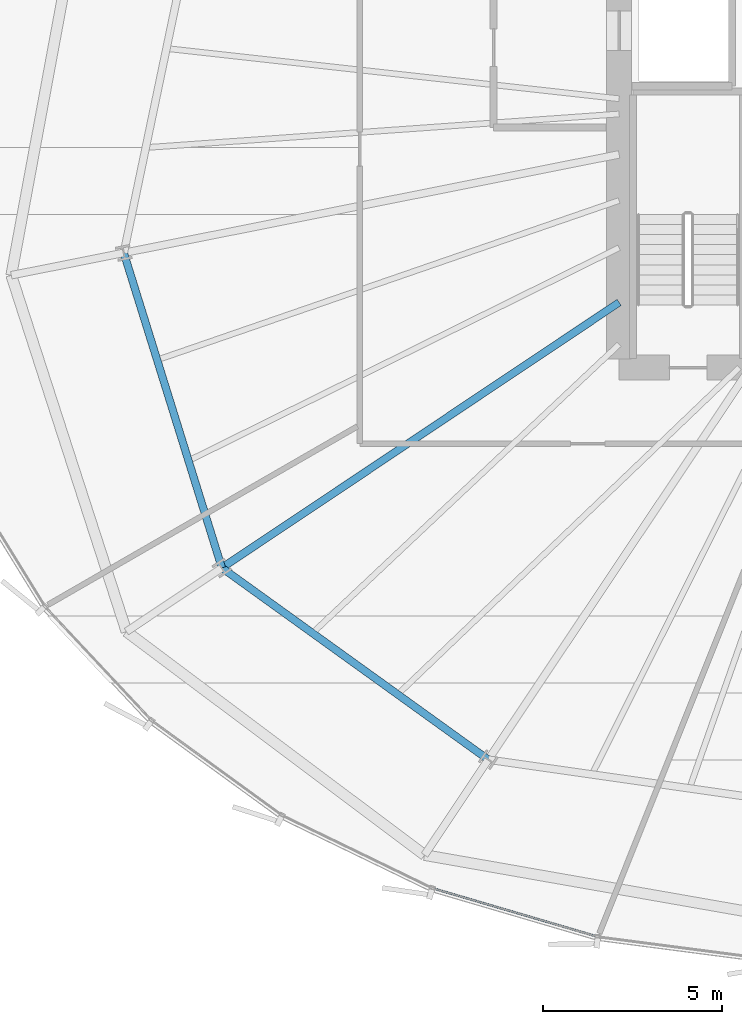
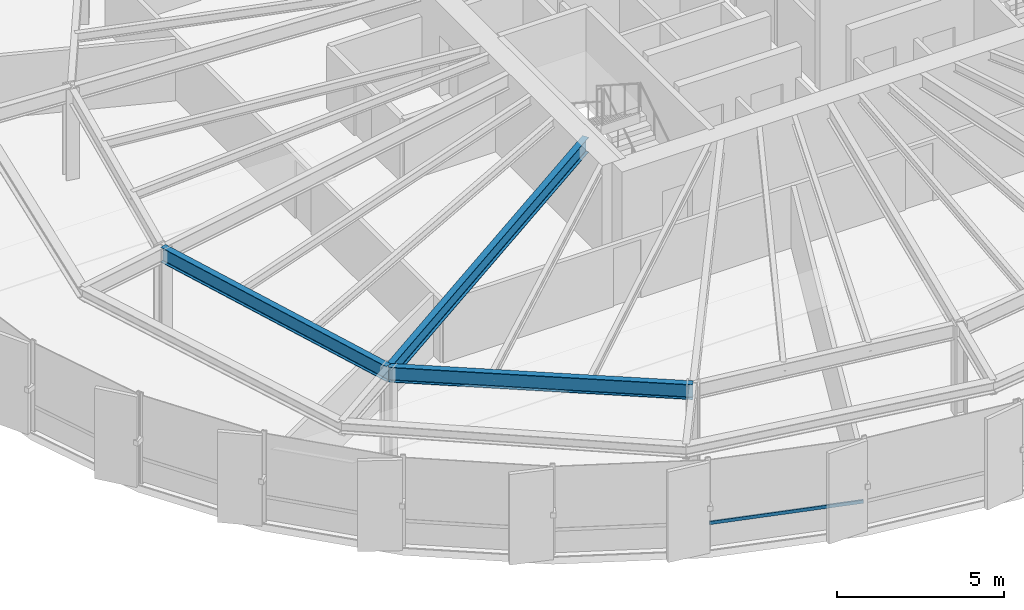
# One storey, part 4 of 35: 3 beams, 1 member, 1 element without a shape of its own.
"""IFC4 building model written with IfcOpenShell, lengths in metres."""

from ifc_helpers import new_model, si_unit, direction, frame, origin, origin_2d, place, context, subcontext, project, spatial, hollow_rectangle, i_section, extrude, source, transform, mapped, material, layer, layer_set, material_profile, profile_set, type_object, element, aggregate, save


model = new_model("IFC4")

# Units and contexts
model_context = context("Model", 3, precision=1e-05, world=origin(), true_north=direction((0.0, 1.0)))
body_context = subcontext(model_context, "Body", "Model", "MODEL_VIEW")
ifc_project = project(units=[si_unit("LENGTHUNIT", "METRE"), si_unit("AREAUNIT", "SQUARE_METRE"), si_unit("VOLUMEUNIT", "CUBIC_METRE"), si_unit("PLANEANGLEUNIT", "RADIAN"), si_unit("MASSUNIT", "GRAM", prefix="KILO"), si_unit("THERMODYNAMICTEMPERATUREUNIT", "KELVIN")], contexts=[model_context])

# Site, building, storey
site_placement = place(None, origin())
site = spatial("IfcSite", under=ifc_project, at=site_placement, CompositionType="ELEMENT")
building_placement = place(site_placement, origin())
building = spatial("IfcBuilding", under=site, at=building_placement, Name="Kethvar Cultural Tower", CompositionType="ELEMENT")
storey_placement = place(building_placement, frame((0.0, 0.0, 89.199951171875)))
storey = spatial("IfcBuildingStorey", under=building, at=storey_placement, Name="L21", CompositionType="ELEMENT", Elevation=89.199951171875)

# Beams
ifc_material_1 = material(Name="Steel S355J2", Category="steel")
ifc_material_profile_1 = material_profile(ifc_material_1, i_section(OverallWidth=0.2099609375, OverallDepth=0.550048828125, WebThickness=0.010986328125, FlangeThickness=0.01708984375, FilletRadius=0.02392578125, at=origin_2d()), Name="Steel S355J2 — IPE550")
ifc_profile_set_1 = profile_set([ifc_material_profile_1], Name="Steel S355J2 — IPE550")
beam_type = type_object("IfcBeamType", Name="BM-IPE550", PredefinedType="BEAM", material=ifc_profile_set_1)
shared_shape_1 = source(origin(), body_context, "Body", "SweptSolid", [
    extrude(i_section(OverallWidth=0.2099609375, OverallDepth=0.550048828125, WebThickness=0.010986328125, FlangeThickness=0.01708984375, FilletRadius=0.02392578125, at=origin_2d()), origin(), (0.0, 0.0, 1.0), 13.324951171875),
])
beam_1_placement = place(storey_placement, frame((38.0, 21.919921875, 3.072998046875), z_axis=(-0.831474815475, -0.555562445843, 0.0), x_axis=(0.555562445843, -0.831474815475, 0.0)))
element("IfcBeam", 1, at=beam_1_placement, inside=storey, type_object=beam_type, Name="L21 Primary Radial Beam RB-10", PredefinedType="BEAM", context=body_context, shape_type="MappedRepresentation", body=[
    mapped(shared_shape_1, transform((0.0, 0.0, 0.0), scale=1.0)),
])
shared_shape_2 = source(origin(), body_context, "Body", "SweptSolid", [
    extrude(i_section(OverallWidth=0.2099609375, OverallDepth=0.550048828125, WebThickness=0.010986328125, FlangeThickness=0.01708984375, FilletRadius=0.02392578125, at=origin_2d()), origin(), (0.0, 0.0, 1.0), 9.20068359375),
])
beam_2_placement = place(storey_placement, frame((24.185302734375, 23.3017578125, 3.072998046875), z_axis=(0.297298800285, -0.954784490526, 0.0), x_axis=(0.954784490526, 0.297298800285, 0.0)))
element("IfcBeam", 2, at=beam_2_placement, inside=storey, type_object=beam_type, Name="L21 Column Ring Tie Beam CR-09", PredefinedType="BEAM", context=body_context, shape_type="MappedRepresentation", body=[
    mapped(shared_shape_2, transform((0.0, 0.0, 0.0), scale=1.0)),
])
shared_shape_3 = source(origin(), body_context, "Body", "SweptSolid", [
    extrude(i_section(OverallWidth=0.2099609375, OverallDepth=0.550048828125, WebThickness=0.010986328125, FlangeThickness=0.01708984375, FilletRadius=0.02392578125, at=origin_2d()), origin(), (0.0, 0.0, 1.0), 9.155029296875),
])
beam_3_placement = place(storey_placement, frame((26.920654296875, 14.51708984375, 3.072998046875), z_axis=(0.811590987974, -0.584226042076, 0.0), x_axis=(0.584226042076, 0.811590987974, 0.0)))
element("IfcBeam", 3, at=beam_3_placement, inside=storey, type_object=beam_type, Name="L21 Column Ring Tie Beam CR-10", PredefinedType="BEAM", context=body_context, shape_type="MappedRepresentation", body=[
    mapped(shared_shape_3, transform((0.0, 0.0, 0.0), scale=1.0)),
])

# Curtain wall, member
ifc_material_2 = material(Name="Aluminium 6063-T6", Category="aluminium")
ifc_layer = layer(ifc_material_2, 0.179931640625, Name="Aluminium 6063-T6", Category="aluminium")
ifc_layer_set = layer_set([ifc_layer], Name="Aluminium 6063-T6 (180 mm)")
curtain_wall_type = type_object("IfcCurtainWallType", Name="CW-SYS-03-Z2", PredefinedType="NOTDEFINED", material=ifc_layer_set)
curtain_wall_placement = place(storey_placement, origin())
curtain_wall = element("IfcCurtainWall", 4, at=curtain_wall_placement, inside=storey, type_object=curtain_wall_type, Name="L21 Curtain Wall Run 04", PredefinedType="NOTDEFINED")
ifc_material_profile_2 = material_profile(ifc_material_2, hollow_rectangle(XDim=0.054931640625, YDim=0.1201171875, WallThickness=0.00390625, at=origin_2d()), Name="Aluminium 6063-T6 — RHS120x55x4")
ifc_profile_set_2 = profile_set([ifc_material_profile_2], Name="Aluminium 6063-T6 — RHS120x55x4")
member_type = type_object("IfcMemberType", Name="CW-SYS-03-Z2-TRN", PredefinedType="USERDEFINED", material=ifc_profile_set_2)
shared_shape_4 = source(origin(), body_context, "Body", "SweptSolid", [
    extrude(hollow_rectangle(XDim=0.054931640625, YDim=0.1201171875, WallThickness=0.00390625, at=origin_2d()), origin(), (0.0, 0.0, 1.0), 4.745849609375),
])
member_placement = place(storey_placement, frame((32.831787109375, 5.571533203125, 0.949951171875), z_axis=(0.959530808882, -0.281603669731, 0.0), x_axis=(0.281603669731, 0.959530808882, 0.0)))
member = element("IfcMember", 5, at=member_placement, type_object=member_type, Name="CW-L21-R04 Transom 5", ObjectType="TRANSOM", PredefinedType="USERDEFINED", context=body_context, shape_type="MappedRepresentation", body=[
    mapped(shared_shape_4, transform((0.0, 0.0, 0.0), scale=1.0)),
])
aggregate(curtain_wall, [member])

save(model, "model.ifc")
